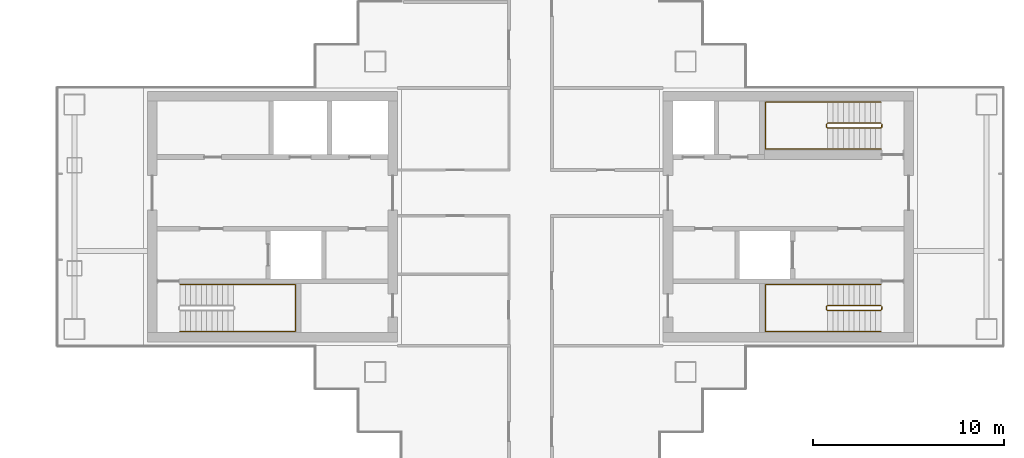
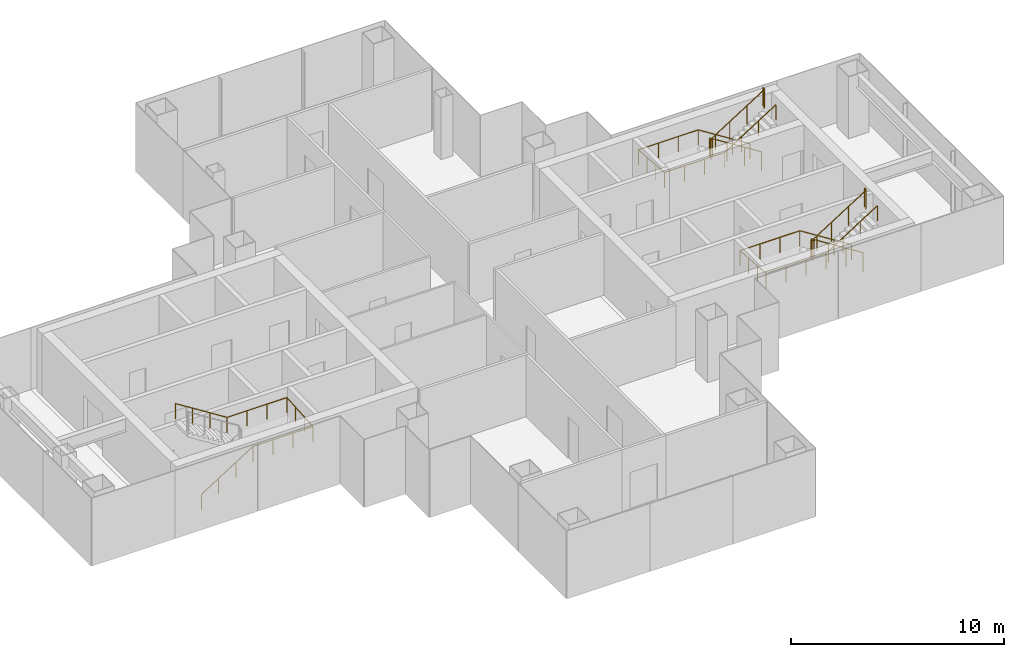
# One storey, part 15 of 16: 5 railings.
"""IFC4 building model written with IfcOpenShell, lengths in metres."""

from ifc_helpers import new_model, si_unit, direction, frame, origin, origin_2d, place, context, subcontext, project, spatial, circle, extrude, material, type_object, element, save


model = new_model("IFC4")

# Units and contexts
model_context = context("Model", 3, precision=1e-05, world=origin(), true_north=direction((0.0, 1.0)))
body_context = subcontext(model_context, "Body", "Model", "MODEL_VIEW")
ifc_project = project(units=[si_unit("LENGTHUNIT", "METRE"), si_unit("AREAUNIT", "SQUARE_METRE"), si_unit("VOLUMEUNIT", "CUBIC_METRE"), si_unit("PLANEANGLEUNIT", "RADIAN"), si_unit("MASSUNIT", "GRAM", prefix="KILO")], contexts=[model_context])

# Site, building, storey
site_placement = place(None, origin())
site = spatial("IfcSite", under=ifc_project, at=site_placement, CompositionType="ELEMENT")
building_placement = place(site_placement, origin())
building = spatial("IfcBuilding", under=site, at=building_placement, Name="Shamsa Quay Exchange Towers", CompositionType="ELEMENT")
storey_placement = place(building_placement, frame((0.0, 0.0, 158.39990234375)))
storey = spatial("IfcBuildingStorey", under=building, at=storey_placement, Name="L37", CompositionType="ELEMENT", Elevation=158.39990234375)

# Railings
ifc_material = material(Name="Stainless steel", Category="steel")
railing_type_1 = type_object("IfcRailingType", Name="STAIR GUARD 1100", PredefinedType="GUARDRAIL", material=ifc_material)
railing_1_placement = place(storey_placement, frame((52.10009765625, -4.64990234375, 0.177490234375)))
element("IfcRailing", 1, at=railing_1_placement, inside=storey, type_object=railing_type_1, Name="L37 ST5 stair guard 1", PredefinedType="GUARDRAIL", context=body_context, shape_type="SweptSolid", body=[
    extrude(circle(Radius=0.02392578125, at=origin_2d()), frame((0.0, 0.0, 1.076171875), z_axis=(-0.844908973607, 0.0, 0.534910110503), x_axis=(0.0, -1.0, 0.0)), (0.0, 0.0, 1.0), 3.31396484375),
    extrude(circle(Radius=0.02392578125, at=origin_2d()), frame((-2.800048828125, 0.0, 2.8486328125), z_axis=(-0.707106781187, -0.707106781187, 0.0), x_axis=(0.707106781187, -0.707106781187, 0.0)), (0.0, 0.0, 1.0), 0.07080078125),
    extrude(circle(Radius=0.02392578125, at=origin_2d()), frame((-2.85009765625, -0.050048828125, 2.8486328125), z_axis=(0.0, -1.0, 0.0), x_axis=(1.0, 0.0, 0.0)), (0.0, 0.0, 1.0), 0.150146484375),
    extrude(circle(Radius=0.02392578125, at=origin_2d()), frame((-2.85009765625, -0.2001953125, 2.8486328125), z_axis=(0.262321481514, -0.261041864531, 0.929001929653), x_axis=(0.705375805398, 0.708833529934, 0.0)), (0.0, 0.0, 1.0), 0.190673828125),
    extrude(circle(Radius=0.02392578125, at=origin_2d()), frame((-2.800048828125, -0.25, 3.02587890625), z_axis=(0.844908973607, 0.0, 0.534910110503), x_axis=(0.0, 1.0, 0.0)), (0.0, 0.0, 1.0), 3.31396484375),
    extrude(circle(Radius=0.02392578125, at=origin_2d()), frame((0.0, -0.25, 4.798828125), z_axis=(0.241699205484, 0.970351222016, 0.0), x_axis=(-0.970351222016, 0.241699205484, 0.0)), (0.0, 0.0, 1.0), 0.2060546875),
    extrude(circle(Radius=0.02392578125, at=origin_2d()), frame((0.0498046875, -0.050048828125, 4.798828125), z_axis=(0.0, -1.0, 0.0), x_axis=(1.0, 0.0, 0.0)), (0.0, 0.0, 1.0), 0.150146484375),
    extrude(circle(Radius=0.02099609375, at=origin_2d()), origin(), (0.0, 0.0, 1.0), 1.052001953125),
    extrude(circle(Radius=0.02099609375, at=origin_2d()), frame((-0.933349609375, 0.0, 0.5908203125)), (0.0, 0.0, 1.0), 1.052001953125),
    extrude(circle(Radius=0.02099609375, at=origin_2d()), frame((-1.86669921875, 0.0, 1.181884765625)), (0.0, 0.0, 1.0), 1.052001953125),
    extrude(circle(Radius=0.02099609375, at=origin_2d()), frame((-2.800048828125, 0.0, 1.772705078125)), (0.0, 0.0, 1.0), 1.052001953125),
    extrude(circle(Radius=0.02099609375, at=origin_2d()), frame((-2.85009765625, -0.050048828125, 1.772705078125)), (0.0, 0.0, 1.0), 1.052001953125),
    extrude(circle(Radius=0.02099609375, at=origin_2d()), frame((-2.85009765625, -0.2001953125, 1.772705078125)), (0.0, 0.0, 1.0), 1.052001953125),
    extrude(circle(Radius=0.02099609375, at=origin_2d()), frame((-2.800048828125, -0.25, 1.949951171875)), (0.0, 0.0, 1.0), 1.052001953125),
    extrude(circle(Radius=0.02099609375, at=origin_2d()), frame((-1.86669921875, -0.25, 2.540771484375)), (0.0, 0.0, 1.0), 1.052001953125),
    extrude(circle(Radius=0.02099609375, at=origin_2d()), frame((-0.933349609375, -0.25, 3.1318359375)), (0.0, 0.0, 1.0), 1.052001953125),
    extrude(circle(Radius=0.02099609375, at=origin_2d()), frame((0.0, -0.25, 3.72265625)), (0.0, 0.0, 1.0), 1.052001953125),
    extrude(circle(Radius=0.02099609375, at=origin_2d()), frame((0.0498046875, -0.050048828125, 3.72265625)), (0.0, 0.0, 1.0), 1.052001953125),
    extrude(circle(Radius=0.02099609375, at=origin_2d()), frame((0.0498046875, -0.2001953125, 3.72265625)), (0.0, 0.0, 1.0), 1.052001953125),
])
railing_2_placement = place(storey_placement, frame((52.10009765625, 4.89990234375, 0.177490234375)))
element("IfcRailing", 2, at=railing_2_placement, inside=storey, type_object=railing_type_1, Name="L37 ST6 stair guard 1", PredefinedType="GUARDRAIL", context=body_context, shape_type="SweptSolid", body=[
    extrude(circle(Radius=0.02392578125, at=origin_2d()), frame((0.0, 0.0, 1.076171875), z_axis=(-0.844908973607, 0.0, 0.534910110503), x_axis=(0.0, -1.0, 0.0)), (0.0, 0.0, 1.0), 3.31396484375),
    extrude(circle(Radius=0.02392578125, at=origin_2d()), frame((-2.800048828125, 0.0, 2.8486328125), z_axis=(-0.708833529934, -0.705375805398, 0.0), x_axis=(0.705375805398, -0.708833529934, 0.0)), (0.0, 0.0, 1.0), 0.070556640625),
    extrude(circle(Radius=0.02392578125, at=origin_2d()), frame((-2.85009765625, -0.0498046875, 2.8486328125), z_axis=(0.0, -1.0, 0.0), x_axis=(1.0, 0.0, 0.0)), (0.0, 0.0, 1.0), 0.150146484375),
    extrude(circle(Radius=0.02392578125, at=origin_2d()), frame((-2.85009765625, -0.199951171875, 2.8486328125), z_axis=(0.262233686654, -0.262233686654, 0.928691007369), x_axis=(0.707106781187, 0.707106781187, 0.0)), (0.0, 0.0, 1.0), 0.19091796875),
    extrude(circle(Radius=0.02392578125, at=origin_2d()), frame((-2.800048828125, -0.25, 3.02587890625), z_axis=(0.844908973607, 0.0, 0.534910110503), x_axis=(0.0, 1.0, 0.0)), (0.0, 0.0, 1.0), 3.31396484375),
    extrude(circle(Radius=0.02392578125, at=origin_2d()), frame((0.0, -0.25, 4.798828125), z_axis=(0.24142163986, 0.970420317083, 0.0), x_axis=(-0.970420317083, 0.24142163986, 0.0)), (0.0, 0.0, 1.0), 0.206298828125),
    extrude(circle(Radius=0.02392578125, at=origin_2d()), frame((0.0498046875, -0.0498046875, 4.798828125), z_axis=(0.0, -1.0, 0.0), x_axis=(1.0, 0.0, 0.0)), (0.0, 0.0, 1.0), 0.150146484375),
    extrude(circle(Radius=0.02099609375, at=origin_2d()), origin(), (0.0, 0.0, 1.0), 1.052001953125),
    extrude(circle(Radius=0.02099609375, at=origin_2d()), frame((-0.933349609375, 0.0, 0.5908203125)), (0.0, 0.0, 1.0), 1.052001953125),
    extrude(circle(Radius=0.02099609375, at=origin_2d()), frame((-1.86669921875, 0.0, 1.181884765625)), (0.0, 0.0, 1.0), 1.052001953125),
    extrude(circle(Radius=0.02099609375, at=origin_2d()), frame((-2.800048828125, 0.0, 1.772705078125)), (0.0, 0.0, 1.0), 1.052001953125),
    extrude(circle(Radius=0.02099609375, at=origin_2d()), frame((-2.85009765625, -0.0498046875, 1.772705078125)), (0.0, 0.0, 1.0), 1.052001953125),
    extrude(circle(Radius=0.02099609375, at=origin_2d()), frame((-2.85009765625, -0.199951171875, 1.772705078125)), (0.0, 0.0, 1.0), 1.052001953125),
    extrude(circle(Radius=0.02099609375, at=origin_2d()), frame((-2.800048828125, -0.25, 1.949951171875)), (0.0, 0.0, 1.0), 1.052001953125),
    extrude(circle(Radius=0.02099609375, at=origin_2d()), frame((-1.86669921875, -0.25, 2.540771484375)), (0.0, 0.0, 1.0), 1.052001953125),
    extrude(circle(Radius=0.02099609375, at=origin_2d()), frame((-0.933349609375, -0.25, 3.1318359375)), (0.0, 0.0, 1.0), 1.052001953125),
    extrude(circle(Radius=0.02099609375, at=origin_2d()), frame((0.0, -0.25, 3.72265625)), (0.0, 0.0, 1.0), 1.052001953125),
    extrude(circle(Radius=0.02099609375, at=origin_2d()), frame((0.0498046875, -0.0498046875, 3.72265625)), (0.0, 0.0, 1.0), 1.052001953125),
    extrude(circle(Radius=0.02099609375, at=origin_2d()), frame((0.0498046875, -0.199951171875, 3.72265625)), (0.0, 0.0, 1.0), 1.052001953125),
])
railing_type_2 = type_object("IfcRailingType", Name="STAIR HANDRAIL 900", PredefinedType="HANDRAIL", material=ifc_material)
railing_3_placement = place(storey_placement, frame((15.39990234375, -6.0, 0.177490234375)))
element("IfcRailing", 3, at=railing_3_placement, inside=storey, type_object=railing_type_2, Name="L37 ST4 stair handrail 1", PredefinedType="HANDRAIL", context=body_context, shape_type="SweptSolid", body=[
    extrude(circle(Radius=0.02392578125, at=origin_2d()), frame((0.0, 0.0, 0.8759765625), z_axis=(0.844908973607, 0.0, 0.534910110503), x_axis=(0.0, 1.0, 0.0)), (0.0, 0.0, 1.0), 3.31396484375),
    extrude(circle(Radius=0.02392578125, at=origin_2d()), frame((2.800048828125, 0.0, 2.6484375), z_axis=(1.0, 0.0, 0.0), x_axis=(0.0, 1.0, 0.0)), (0.0, 0.0, 1.0), 3.25),
    extrude(circle(Radius=0.02392578125, at=origin_2d()), frame((6.050048828125, 0.0, 2.6484375), z_axis=(0.0, 0.997393199914, 0.07215819264), x_axis=(-1.0, 0.0, 0.0)), (0.0, 0.0, 1.0), 2.456298828125),
    extrude(circle(Radius=0.02392578125, at=origin_2d()), frame((6.050048828125, 2.449951171875, 2.82568359375), z_axis=(-1.0, 0.0, 0.0), x_axis=(0.0, -1.0, 0.0)), (0.0, 0.0, 1.0), 3.25),
    extrude(circle(Radius=0.02392578125, at=origin_2d()), frame((2.800048828125, 2.449951171875, 2.82568359375), z_axis=(-0.844908973607, 0.0, 0.534910110503), x_axis=(0.0, -1.0, 0.0)), (0.0, 0.0, 1.0), 3.31396484375),
    extrude(circle(Radius=0.02099609375, at=origin_2d()), origin(), (0.0, 0.0, 1.0), 0.851806640625),
    extrude(circle(Radius=0.02099609375, at=origin_2d()), frame((0.933349609375, 0.0, 0.5908203125)), (0.0, 0.0, 1.0), 0.851806640625),
    extrude(circle(Radius=0.02099609375, at=origin_2d()), frame((1.86669921875, 0.0, 1.181884765625)), (0.0, 0.0, 1.0), 0.851806640625),
    extrude(circle(Radius=0.02099609375, at=origin_2d()), frame((2.800048828125, 0.0, 1.772705078125)), (0.0, 0.0, 1.0), 0.851806640625),
    extrude(circle(Radius=0.02099609375, at=origin_2d()), frame((3.88330078125, 0.0, 1.772705078125)), (0.0, 0.0, 1.0), 0.851806640625),
    extrude(circle(Radius=0.02099609375, at=origin_2d()), frame((4.966796875, 0.0, 1.772705078125)), (0.0, 0.0, 1.0), 0.851806640625),
    extrude(circle(Radius=0.02099609375, at=origin_2d()), frame((6.050048828125, 0.0, 1.772705078125)), (0.0, 0.0, 1.0), 0.851806640625),
    extrude(circle(Radius=0.02099609375, at=origin_2d()), frame((6.050048828125, 0.816650390625, 1.831787109375)), (0.0, 0.0, 1.0), 0.851806640625),
    extrude(circle(Radius=0.02099609375, at=origin_2d()), frame((6.050048828125, 1.63330078125, 1.890869140625)), (0.0, 0.0, 1.0), 0.851806640625),
    extrude(circle(Radius=0.02099609375, at=origin_2d()), frame((6.050048828125, 2.449951171875, 1.949951171875)), (0.0, 0.0, 1.0), 0.851806640625),
    extrude(circle(Radius=0.02099609375, at=origin_2d()), frame((4.966796875, 2.449951171875, 1.949951171875)), (0.0, 0.0, 1.0), 0.851806640625),
    extrude(circle(Radius=0.02099609375, at=origin_2d()), frame((3.88330078125, 2.449951171875, 1.949951171875)), (0.0, 0.0, 1.0), 0.851806640625),
    extrude(circle(Radius=0.02099609375, at=origin_2d()), frame((2.800048828125, 2.449951171875, 1.949951171875)), (0.0, 0.0, 1.0), 0.851806640625),
    extrude(circle(Radius=0.02099609375, at=origin_2d()), frame((1.86669921875, 2.449951171875, 2.540771484375)), (0.0, 0.0, 1.0), 0.851806640625),
    extrude(circle(Radius=0.02099609375, at=origin_2d()), frame((0.933349609375, 2.449951171875, 3.1318359375)), (0.0, 0.0, 1.0), 0.851806640625),
    extrude(circle(Radius=0.02099609375, at=origin_2d()), frame((0.0, 2.449951171875, 3.72265625)), (0.0, 0.0, 1.0), 0.851806640625),
])
railing_4_placement = place(storey_placement, frame((52.10009765625, -3.550048828125, 0.177490234375)))
element("IfcRailing", 4, at=railing_4_placement, inside=storey, type_object=railing_type_2, Name="L37 ST5 stair handrail 1", PredefinedType="HANDRAIL", context=body_context, shape_type="SweptSolid", body=[
    extrude(circle(Radius=0.02392578125, at=origin_2d()), frame((0.0, 0.0, 0.8759765625), z_axis=(-0.844908973607, 0.0, 0.534910110503), x_axis=(0.0, -1.0, 0.0)), (0.0, 0.0, 1.0), 3.31396484375),
    extrude(circle(Radius=0.02392578125, at=origin_2d()), frame((-2.800048828125, 0.0, 2.6484375), z_axis=(-1.0, 0.0, 0.0), x_axis=(0.0, -1.0, 0.0)), (0.0, 0.0, 1.0), 3.25),
    extrude(circle(Radius=0.02392578125, at=origin_2d()), frame((-6.050048828125, 0.0, 2.6484375), z_axis=(0.0, -0.997393199914, 0.07215819264), x_axis=(1.0, 0.0, 0.0)), (0.0, 0.0, 1.0), 2.456298828125),
    extrude(circle(Radius=0.02392578125, at=origin_2d()), frame((-6.050048828125, -2.449951171875, 2.82568359375), z_axis=(1.0, 0.0, 0.0), x_axis=(0.0, 1.0, 0.0)), (0.0, 0.0, 1.0), 3.25),
    extrude(circle(Radius=0.02392578125, at=origin_2d()), frame((-2.800048828125, -2.449951171875, 2.82568359375), z_axis=(0.844908973607, 0.0, 0.534910110503), x_axis=(0.0, 1.0, 0.0)), (0.0, 0.0, 1.0), 3.31396484375),
    extrude(circle(Radius=0.02099609375, at=origin_2d()), origin(), (0.0, 0.0, 1.0), 0.851806640625),
    extrude(circle(Radius=0.02099609375, at=origin_2d()), frame((-0.933349609375, 0.0, 0.5908203125)), (0.0, 0.0, 1.0), 0.851806640625),
    extrude(circle(Radius=0.02099609375, at=origin_2d()), frame((-1.86669921875, 0.0, 1.181884765625)), (0.0, 0.0, 1.0), 0.851806640625),
    extrude(circle(Radius=0.02099609375, at=origin_2d()), frame((-2.800048828125, 0.0, 1.772705078125)), (0.0, 0.0, 1.0), 0.851806640625),
    extrude(circle(Radius=0.02099609375, at=origin_2d()), frame((-3.88330078125, 0.0, 1.772705078125)), (0.0, 0.0, 1.0), 0.851806640625),
    extrude(circle(Radius=0.02099609375, at=origin_2d()), frame((-4.966796875, 0.0, 1.772705078125)), (0.0, 0.0, 1.0), 0.851806640625),
    extrude(circle(Radius=0.02099609375, at=origin_2d()), frame((-6.050048828125, 0.0, 1.772705078125)), (0.0, 0.0, 1.0), 0.851806640625),
    extrude(circle(Radius=0.02099609375, at=origin_2d()), frame((-6.050048828125, -0.816650390625, 1.831787109375)), (0.0, 0.0, 1.0), 0.851806640625),
    extrude(circle(Radius=0.02099609375, at=origin_2d()), frame((-6.050048828125, -1.63330078125, 1.890869140625)), (0.0, 0.0, 1.0), 0.851806640625),
    extrude(circle(Radius=0.02099609375, at=origin_2d()), frame((-6.050048828125, -2.449951171875, 1.949951171875)), (0.0, 0.0, 1.0), 0.851806640625),
    extrude(circle(Radius=0.02099609375, at=origin_2d()), frame((-4.966796875, -2.449951171875, 1.949951171875)), (0.0, 0.0, 1.0), 0.851806640625),
    extrude(circle(Radius=0.02099609375, at=origin_2d()), frame((-3.88330078125, -2.449951171875, 1.949951171875)), (0.0, 0.0, 1.0), 0.851806640625),
    extrude(circle(Radius=0.02099609375, at=origin_2d()), frame((-2.800048828125, -2.449951171875, 1.949951171875)), (0.0, 0.0, 1.0), 0.851806640625),
    extrude(circle(Radius=0.02099609375, at=origin_2d()), frame((-1.86669921875, -2.449951171875, 2.540771484375)), (0.0, 0.0, 1.0), 0.851806640625),
    extrude(circle(Radius=0.02099609375, at=origin_2d()), frame((-0.933349609375, -2.449951171875, 3.1318359375)), (0.0, 0.0, 1.0), 0.851806640625),
    extrude(circle(Radius=0.02099609375, at=origin_2d()), frame((0.0, -2.449951171875, 3.72265625)), (0.0, 0.0, 1.0), 0.851806640625),
])
railing_5_placement = place(storey_placement, frame((52.10009765625, 6.0, 0.177490234375)))
element("IfcRailing", 5, at=railing_5_placement, inside=storey, type_object=railing_type_2, Name="L37 ST6 stair handrail 1", PredefinedType="HANDRAIL", context=body_context, shape_type="SweptSolid", body=[
    extrude(circle(Radius=0.02392578125, at=origin_2d()), frame((0.0, 0.0, 0.8759765625), z_axis=(-0.844908973607, 0.0, 0.534910110503), x_axis=(0.0, -1.0, 0.0)), (0.0, 0.0, 1.0), 3.31396484375),
    extrude(circle(Radius=0.02392578125, at=origin_2d()), frame((-2.800048828125, 0.0, 2.6484375), z_axis=(-1.0, 0.0, 0.0), x_axis=(0.0, -1.0, 0.0)), (0.0, 0.0, 1.0), 3.25),
    extrude(circle(Radius=0.02392578125, at=origin_2d()), frame((-6.050048828125, 0.0, 2.6484375), z_axis=(0.0, -0.997393199914, 0.07215819264), x_axis=(1.0, 0.0, 0.0)), (0.0, 0.0, 1.0), 2.456298828125),
    extrude(circle(Radius=0.02392578125, at=origin_2d()), frame((-6.050048828125, -2.449951171875, 2.82568359375), z_axis=(1.0, 0.0, 0.0), x_axis=(0.0, 1.0, 0.0)), (0.0, 0.0, 1.0), 3.25),
    extrude(circle(Radius=0.02392578125, at=origin_2d()), frame((-2.800048828125, -2.449951171875, 2.82568359375), z_axis=(0.844908973607, 0.0, 0.534910110503), x_axis=(0.0, 1.0, 0.0)), (0.0, 0.0, 1.0), 3.31396484375),
    extrude(circle(Radius=0.02099609375, at=origin_2d()), origin(), (0.0, 0.0, 1.0), 0.851806640625),
    extrude(circle(Radius=0.02099609375, at=origin_2d()), frame((-0.933349609375, 0.0, 0.5908203125)), (0.0, 0.0, 1.0), 0.851806640625),
    extrude(circle(Radius=0.02099609375, at=origin_2d()), frame((-1.86669921875, 0.0, 1.181884765625)), (0.0, 0.0, 1.0), 0.851806640625),
    extrude(circle(Radius=0.02099609375, at=origin_2d()), frame((-2.800048828125, 0.0, 1.772705078125)), (0.0, 0.0, 1.0), 0.851806640625),
    extrude(circle(Radius=0.02099609375, at=origin_2d()), frame((-3.88330078125, 0.0, 1.772705078125)), (0.0, 0.0, 1.0), 0.851806640625),
    extrude(circle(Radius=0.02099609375, at=origin_2d()), frame((-4.966796875, 0.0, 1.772705078125)), (0.0, 0.0, 1.0), 0.851806640625),
    extrude(circle(Radius=0.02099609375, at=origin_2d()), frame((-6.050048828125, 0.0, 1.772705078125)), (0.0, 0.0, 1.0), 0.851806640625),
    extrude(circle(Radius=0.02099609375, at=origin_2d()), frame((-6.050048828125, -0.816650390625, 1.831787109375)), (0.0, 0.0, 1.0), 0.851806640625),
    extrude(circle(Radius=0.02099609375, at=origin_2d()), frame((-6.050048828125, -1.63330078125, 1.890869140625)), (0.0, 0.0, 1.0), 0.851806640625),
    extrude(circle(Radius=0.02099609375, at=origin_2d()), frame((-6.050048828125, -2.449951171875, 1.949951171875)), (0.0, 0.0, 1.0), 0.851806640625),
    extrude(circle(Radius=0.02099609375, at=origin_2d()), frame((-4.966796875, -2.449951171875, 1.949951171875)), (0.0, 0.0, 1.0), 0.851806640625),
    extrude(circle(Radius=0.02099609375, at=origin_2d()), frame((-3.88330078125, -2.449951171875, 1.949951171875)), (0.0, 0.0, 1.0), 0.851806640625),
    extrude(circle(Radius=0.02099609375, at=origin_2d()), frame((-2.800048828125, -2.449951171875, 1.949951171875)), (0.0, 0.0, 1.0), 0.851806640625),
    extrude(circle(Radius=0.02099609375, at=origin_2d()), frame((-1.86669921875, -2.449951171875, 2.540771484375)), (0.0, 0.0, 1.0), 0.851806640625),
    extrude(circle(Radius=0.02099609375, at=origin_2d()), frame((-0.933349609375, -2.449951171875, 3.1318359375)), (0.0, 0.0, 1.0), 0.851806640625),
    extrude(circle(Radius=0.02099609375, at=origin_2d()), frame((0.0, -2.449951171875, 3.72265625)), (0.0, 0.0, 1.0), 0.851806640625),
])

save(model, "model.ifc")
